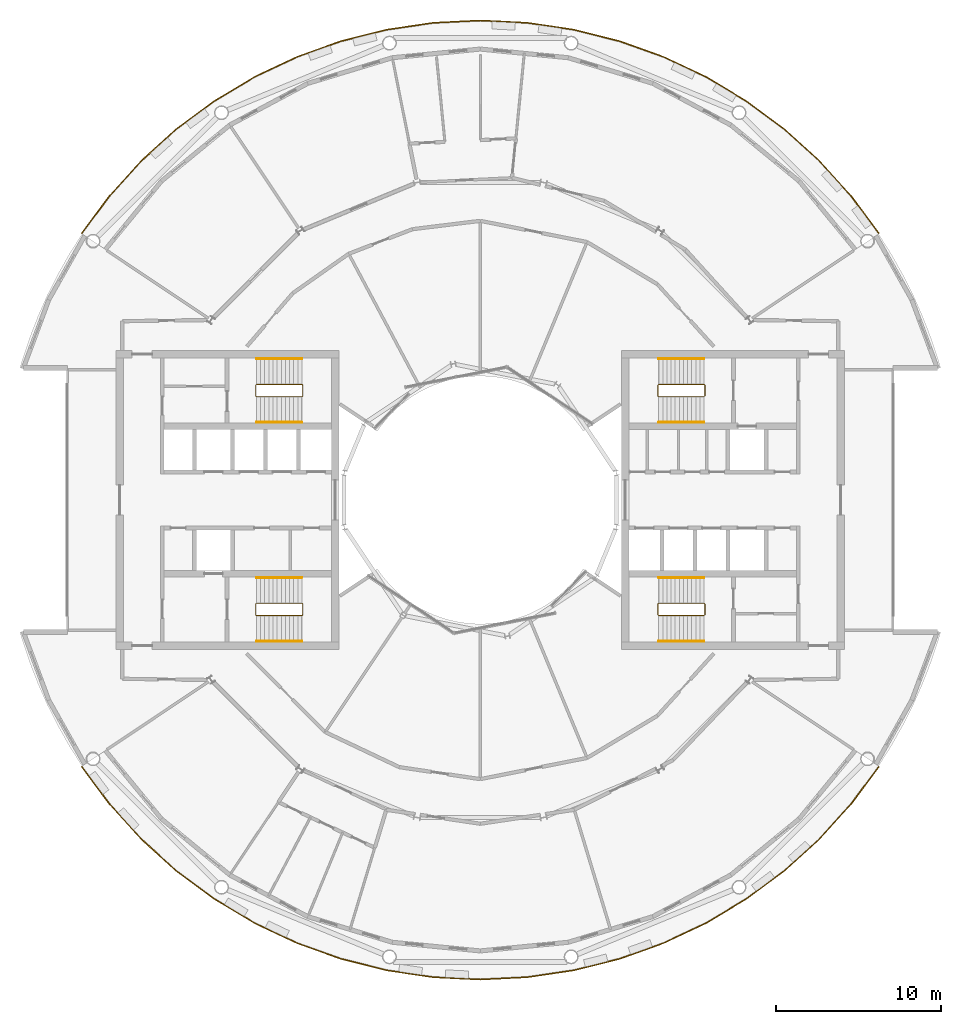
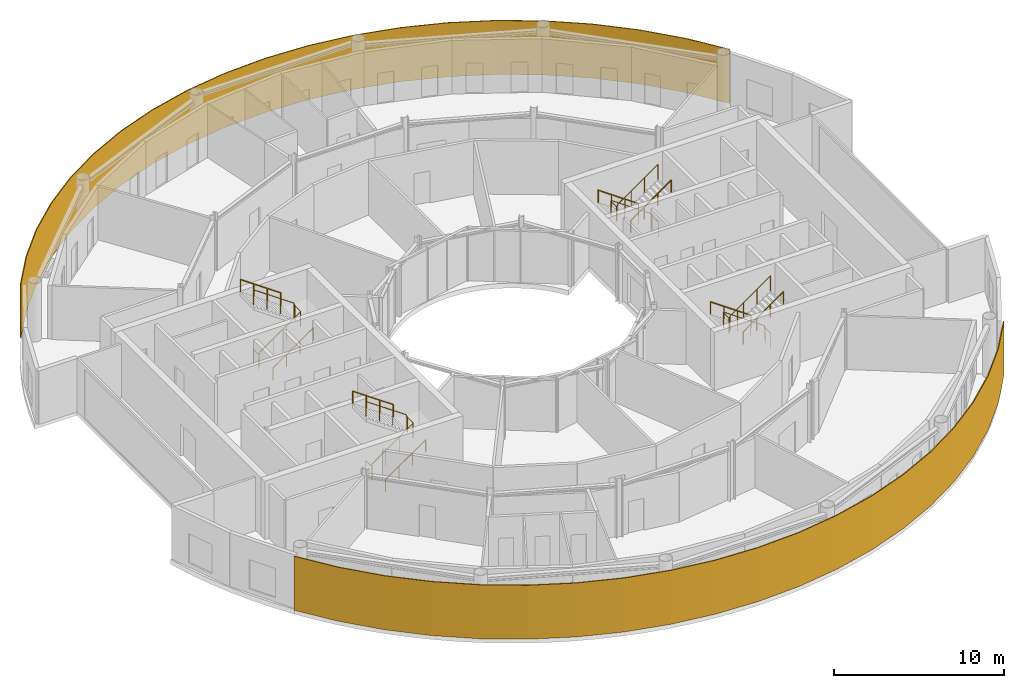
# One storey, part 22 of 22: 14 railings.
"""IFC4 building model written with IfcOpenShell, lengths in metres."""

from ifc_helpers import new_model, si_unit, direction, frame, origin, origin_2d, place, context, subcontext, project, spatial, polyline, circle, outline, extrude, material, layer, layer_set, type_object, element, save


model = new_model("IFC4")

# Units and contexts
model_context = context("Model", 3, precision=1e-05, world=origin(), true_north=direction((0.0, 1.0)))
body_context = subcontext(model_context, "Body", "Model", "MODEL_VIEW")
ifc_project = project(units=[si_unit("LENGTHUNIT", "METRE"), si_unit("AREAUNIT", "SQUARE_METRE"), si_unit("VOLUMEUNIT", "CUBIC_METRE"), si_unit("PLANEANGLEUNIT", "RADIAN"), si_unit("MASSUNIT", "GRAM", prefix="KILO")], contexts=[model_context])

# Site, building, storey
site_placement = place(None, origin())
site = spatial("IfcSite", under=ifc_project, at=site_placement, CompositionType="ELEMENT")
building_placement = place(site_placement, origin())
building = spatial("IfcBuilding", under=site, at=building_placement, Name="Maasbend Ring Residences", CompositionType="ELEMENT")
storey_placement = place(building_placement, frame((0.0, 0.0, 208.5)))
storey = spatial("IfcBuildingStorey", under=building, at=storey_placement, Name="L60", CompositionType="ELEMENT", Elevation=208.5)

# Railings
ifc_material_1 = material(Name="Pale anodised perforated aluminium", Category="aluminium")
ifc_layer = layer(ifc_material_1, 0.06005859375)
ifc_layer_set = layer_set([ifc_layer], Name="SCREEN-P")
railing_type_1 = type_object("IfcRailingType", Name="SCREEN-P", PredefinedType="GUARDRAIL", material=ifc_layer_set)
railing_1_placement = place(storey_placement, frame((0.0, 0.0, -0.030029296875)))
element("IfcRailing", 1, at=railing_1_placement, inside=storey, type_object=railing_type_1, Name="Perforated screen guard 1", PredefinedType="GUARDRAIL", context=body_context, shape_type="SweptSolid", body=[
    extrude(outline(polyline([(24.113037109375, 16.112060546875), (22.4169921875, 18.39697265625), (20.506103515625, 20.506103515625), (18.39697265625, 22.4169921875), (16.112060546875, 24.113037109375), (13.6708984375, 25.575927734375), (11.097900390625, 26.79296875), (8.41796875, 27.7509765625), (5.657958984375, 28.443115234375), (2.842041015625, 28.860107421875), (0.0, 29.0), (-2.842041015625, 28.860107421875), (-5.657958984375, 28.443115234375), (-8.41796875, 27.7509765625), (-11.097900390625, 26.79296875), (-13.6708984375, 25.575927734375), (-16.112060546875, 24.113037109375), (-18.39697265625, 22.4169921875), (-20.506103515625, 20.506103515625), (-22.4169921875, 18.39697265625), (-24.113037109375, 16.112060546875), (-24.1630859375, 16.14501953125), (-22.464111328125, 18.43505859375), (-20.549072265625, 20.549072265625), (-18.43505859375, 22.464111328125), (-16.14501953125, 24.1630859375), (-13.698974609375, 25.62890625), (-11.12109375, 26.847900390625), (-8.43603515625, 27.80908203125), (-5.6689453125, 28.501953125), (-2.847900390625, 28.919921875), (0.0, 29.06005859375), (2.847900390625, 28.919921875), (5.6689453125, 28.501953125), (8.43603515625, 27.80908203125), (11.12109375, 26.847900390625), (13.698974609375, 25.62890625), (16.14501953125, 24.1630859375), (18.43505859375, 22.464111328125), (20.549072265625, 20.549072265625), (22.464111328125, 18.43505859375), (24.1630859375, 16.14501953125), (24.113037109375, 16.112060546875)])), origin(), (0.0, 0.0, 1.0), 3.880126953125),
])
railing_2_placement = place(storey_placement, frame((0.0, 0.0, -0.030029296875)))
element("IfcRailing", 2, at=railing_2_placement, inside=storey, type_object=railing_type_1, Name="Perforated screen guard 1", PredefinedType="GUARDRAIL", context=body_context, shape_type="SweptSolid", body=[
    extrude(outline(polyline([(-24.113037109375, -16.112060546875), (-22.4169921875, -18.39697265625), (-20.506103515625, -20.506103515625), (-18.39697265625, -22.4169921875), (-16.112060546875, -24.113037109375), (-13.6708984375, -25.575927734375), (-11.097900390625, -26.79296875), (-8.41796875, -27.7509765625), (-5.657958984375, -28.443115234375), (-2.842041015625, -28.860107421875), (0.0, -29.0), (2.842041015625, -28.860107421875), (5.657958984375, -28.443115234375), (8.41796875, -27.7509765625), (11.097900390625, -26.79296875), (13.6708984375, -25.575927734375), (16.112060546875, -24.113037109375), (18.39697265625, -22.4169921875), (20.506103515625, -20.506103515625), (22.4169921875, -18.39697265625), (24.113037109375, -16.112060546875), (24.1630859375, -16.14501953125), (22.464111328125, -18.43505859375), (20.549072265625, -20.549072265625), (18.43505859375, -22.464111328125), (16.14501953125, -24.1630859375), (13.698974609375, -25.62890625), (11.12109375, -26.847900390625), (8.43603515625, -27.80908203125), (5.6689453125, -28.501953125), (2.847900390625, -28.919921875), (0.0, -29.06005859375), (-2.847900390625, -28.919921875), (-5.6689453125, -28.501953125), (-8.43603515625, -27.80908203125), (-11.12109375, -26.847900390625), (-13.698974609375, -25.62890625), (-16.14501953125, -24.1630859375), (-18.43505859375, -22.464111328125), (-20.549072265625, -20.549072265625), (-22.464111328125, -18.43505859375), (-24.1630859375, -16.14501953125), (-24.113037109375, -16.112060546875)])), origin(), (0.0, 0.0, 1.0), 3.880126953125),
])
ifc_material_2 = material(Name="Stainless steel 316", Category="steel")
railing_type_2 = type_object("IfcRailingType", Name="STAIR GUARD 1100", PredefinedType="GUARDRAIL", material=ifc_material_2)
railing_3_placement = place(storey_placement, frame((13.60009765625, 6.300048828125, 0.0)))
element("IfcRailing", 3, at=railing_3_placement, inside=storey, type_object=railing_type_2, Name="L60 ST-E1 stair guard 1", PredefinedType="GUARDRAIL", context=body_context, shape_type="SweptSolid", body=[
    extrude(circle(Radius=0.02392578125, at=origin_2d()), frame((0.0, 0.0, 1.076171875), z_axis=(0.0, 1.0, 0.0), x_axis=(-1.0, 0.0, 0.0)), (0.0, 0.0, 1.0), 0.64990234375),
    extrude(circle(Radius=0.02392578125, at=origin_2d()), frame((0.0, 0.64990234375, 1.076171875), z_axis=(-0.265065253269, 0.265065253269, 0.927081885822), x_axis=(-0.707106781187, -0.707106781187, 0.0)), (0.0, 0.0, 1.0), 0.188720703125),
    extrude(circle(Radius=0.02392578125, at=origin_2d()), frame((-0.050048828125, 0.699951171875, 1.2509765625), z_axis=(-0.819225086817, 0.0, 0.573472106672), x_axis=(0.0, -1.0, 0.0)), (0.0, 0.0, 1.0), 3.35693359375),
    extrude(circle(Radius=0.02392578125, at=origin_2d()), frame((-2.800048828125, 0.699951171875, 3.17626953125), z_axis=(-0.707106781187, -0.707106781187, 0.0), x_axis=(0.707106781187, -0.707106781187, 0.0)), (0.0, 0.0, 1.0), 0.07080078125),
    extrude(circle(Radius=0.02392578125, at=origin_2d()), frame((-2.85009765625, 0.64990234375, 3.17626953125), z_axis=(0.0, -1.0, 0.0), x_axis=(1.0, 0.0, 0.0)), (0.0, 0.0, 1.0), 0.64990234375),
    extrude(circle(Radius=0.02392578125, at=origin_2d()), frame((-2.85009765625, 0.0, 3.17626953125), z_axis=(0.265383341853, -0.265383341853, 0.926899867156), x_axis=(0.707106781187, 0.707106781187, 0.0)), (0.0, 0.0, 1.0), 0.1884765625),
    extrude(circle(Radius=0.02392578125, at=origin_2d()), frame((-2.800048828125, -0.050048828125, 3.35107421875), z_axis=(0.819225086817, 0.0, 0.573472106672), x_axis=(0.0, 1.0, 0.0)), (0.0, 0.0, 1.0), 3.35693359375),
    extrude(circle(Radius=0.02099609375, at=origin_2d()), origin(), (0.0, 0.0, 1.0), 1.052001953125),
    extrude(circle(Radius=0.02099609375, at=origin_2d()), frame((0.0, 0.64990234375, 0.0)), (0.0, 0.0, 1.0), 1.052001953125),
    extrude(circle(Radius=0.02099609375, at=origin_2d()), frame((-0.050048828125, 0.699951171875, 0.175048828125)), (0.0, 0.0, 1.0), 1.052001953125),
    extrude(circle(Radius=0.02099609375, at=origin_2d()), frame((-0.966796875, 0.699951171875, 0.816650390625)), (0.0, 0.0, 1.0), 1.052001953125),
    extrude(circle(Radius=0.02099609375, at=origin_2d()), frame((-1.88330078125, 0.699951171875, 1.45849609375)), (0.0, 0.0, 1.0), 1.052001953125),
    extrude(circle(Radius=0.02099609375, at=origin_2d()), frame((-2.800048828125, 0.699951171875, 2.10009765625)), (0.0, 0.0, 1.0), 1.052001953125),
    extrude(circle(Radius=0.02099609375, at=origin_2d()), frame((-2.85009765625, 0.64990234375, 2.10009765625)), (0.0, 0.0, 1.0), 1.052001953125),
    extrude(circle(Radius=0.02099609375, at=origin_2d()), frame((-2.85009765625, 0.0, 2.10009765625)), (0.0, 0.0, 1.0), 1.052001953125),
    extrude(circle(Radius=0.02099609375, at=origin_2d()), frame((-2.800048828125, -0.050048828125, 2.27490234375)), (0.0, 0.0, 1.0), 1.052001953125),
    extrude(circle(Radius=0.02099609375, at=origin_2d()), frame((-1.88330078125, -0.050048828125, 2.91650390625)), (0.0, 0.0, 1.0), 1.052001953125),
    extrude(circle(Radius=0.02099609375, at=origin_2d()), frame((-0.966796875, -0.050048828125, 3.558349609375)), (0.0, 0.0, 1.0), 1.052001953125),
    extrude(circle(Radius=0.02099609375, at=origin_2d()), frame((-0.050048828125, -0.050048828125, 4.199951171875)), (0.0, 0.0, 1.0), 1.052001953125),
])
railing_4_placement = place(storey_placement, frame((13.60009765625, -6.949951171875, 0.0)))
element("IfcRailing", 4, at=railing_4_placement, inside=storey, type_object=railing_type_2, Name="L60 ST-E2 stair guard 1", PredefinedType="GUARDRAIL", context=body_context, shape_type="SweptSolid", body=[
    extrude(circle(Radius=0.02392578125, at=origin_2d()), frame((0.0, 0.0, 1.076171875), z_axis=(0.0, 1.0, 0.0), x_axis=(-1.0, 0.0, 0.0)), (0.0, 0.0, 1.0), 0.64990234375),
    extrude(circle(Radius=0.02392578125, at=origin_2d()), frame((0.0, 0.64990234375, 1.076171875), z_axis=(-0.265065253269, 0.265065253269, 0.927081885822), x_axis=(-0.707106781187, -0.707106781187, 0.0)), (0.0, 0.0, 1.0), 0.188720703125),
    extrude(circle(Radius=0.02392578125, at=origin_2d()), frame((-0.050048828125, 0.699951171875, 1.2509765625), z_axis=(-0.819225086817, 0.0, 0.573472106672), x_axis=(0.0, -1.0, 0.0)), (0.0, 0.0, 1.0), 3.35693359375),
    extrude(circle(Radius=0.02392578125, at=origin_2d()), frame((-2.800048828125, 0.699951171875, 3.17626953125), z_axis=(-0.707106781187, -0.707106781187, 0.0), x_axis=(0.707106781187, -0.707106781187, 0.0)), (0.0, 0.0, 1.0), 0.07080078125),
    extrude(circle(Radius=0.02392578125, at=origin_2d()), frame((-2.85009765625, 0.64990234375, 3.17626953125), z_axis=(0.0, -1.0, 0.0), x_axis=(1.0, 0.0, 0.0)), (0.0, 0.0, 1.0), 0.64990234375),
    extrude(circle(Radius=0.02392578125, at=origin_2d()), frame((-2.85009765625, 0.0, 3.17626953125), z_axis=(0.265383341853, -0.265383341853, 0.926899867156), x_axis=(0.707106781187, 0.707106781187, 0.0)), (0.0, 0.0, 1.0), 0.1884765625),
    extrude(circle(Radius=0.02392578125, at=origin_2d()), frame((-2.800048828125, -0.050048828125, 3.35107421875), z_axis=(0.819225086817, 0.0, 0.573472106672), x_axis=(0.0, 1.0, 0.0)), (0.0, 0.0, 1.0), 3.35693359375),
    extrude(circle(Radius=0.02099609375, at=origin_2d()), origin(), (0.0, 0.0, 1.0), 1.052001953125),
    extrude(circle(Radius=0.02099609375, at=origin_2d()), frame((0.0, 0.64990234375, 0.0)), (0.0, 0.0, 1.0), 1.052001953125),
    extrude(circle(Radius=0.02099609375, at=origin_2d()), frame((-0.050048828125, 0.699951171875, 0.175048828125)), (0.0, 0.0, 1.0), 1.052001953125),
    extrude(circle(Radius=0.02099609375, at=origin_2d()), frame((-0.966796875, 0.699951171875, 0.816650390625)), (0.0, 0.0, 1.0), 1.052001953125),
    extrude(circle(Radius=0.02099609375, at=origin_2d()), frame((-1.88330078125, 0.699951171875, 1.45849609375)), (0.0, 0.0, 1.0), 1.052001953125),
    extrude(circle(Radius=0.02099609375, at=origin_2d()), frame((-2.800048828125, 0.699951171875, 2.10009765625)), (0.0, 0.0, 1.0), 1.052001953125),
    extrude(circle(Radius=0.02099609375, at=origin_2d()), frame((-2.85009765625, 0.64990234375, 2.10009765625)), (0.0, 0.0, 1.0), 1.052001953125),
    extrude(circle(Radius=0.02099609375, at=origin_2d()), frame((-2.85009765625, 0.0, 2.10009765625)), (0.0, 0.0, 1.0), 1.052001953125),
    extrude(circle(Radius=0.02099609375, at=origin_2d()), frame((-2.800048828125, -0.050048828125, 2.27490234375)), (0.0, 0.0, 1.0), 1.052001953125),
    extrude(circle(Radius=0.02099609375, at=origin_2d()), frame((-1.88330078125, -0.050048828125, 2.91650390625)), (0.0, 0.0, 1.0), 1.052001953125),
    extrude(circle(Radius=0.02099609375, at=origin_2d()), frame((-0.966796875, -0.050048828125, 3.558349609375)), (0.0, 0.0, 1.0), 1.052001953125),
    extrude(circle(Radius=0.02099609375, at=origin_2d()), frame((-0.050048828125, -0.050048828125, 4.199951171875)), (0.0, 0.0, 1.0), 1.052001953125),
])
railing_5_placement = place(storey_placement, frame((-13.60009765625, -6.300048828125, 0.0)))
element("IfcRailing", 5, at=railing_5_placement, inside=storey, type_object=railing_type_2, Name="L60 ST-W1 stair guard 1", PredefinedType="GUARDRAIL", context=body_context, shape_type="SweptSolid", body=[
    extrude(circle(Radius=0.02392578125, at=origin_2d()), frame((0.0, 0.0, 1.076171875), z_axis=(0.0, -1.0, 0.0), x_axis=(1.0, 0.0, 0.0)), (0.0, 0.0, 1.0), 0.64990234375),
    extrude(circle(Radius=0.02392578125, at=origin_2d()), frame((0.0, -0.64990234375, 1.076171875), z_axis=(0.265065253269, -0.265065253269, 0.927081885822), x_axis=(0.707106781187, 0.707106781187, 0.0)), (0.0, 0.0, 1.0), 0.188720703125),
    extrude(circle(Radius=0.02392578125, at=origin_2d()), frame((0.050048828125, -0.699951171875, 1.2509765625), z_axis=(0.819225086817, 0.0, 0.573472106672), x_axis=(0.0, 1.0, 0.0)), (0.0, 0.0, 1.0), 3.35693359375),
    extrude(circle(Radius=0.02392578125, at=origin_2d()), frame((2.800048828125, -0.699951171875, 3.17626953125), z_axis=(0.707106781187, 0.707106781187, 0.0), x_axis=(-0.707106781187, 0.707106781187, 0.0)), (0.0, 0.0, 1.0), 0.07080078125),
    extrude(circle(Radius=0.02392578125, at=origin_2d()), frame((2.85009765625, -0.64990234375, 3.17626953125), z_axis=(0.0, 1.0, 0.0), x_axis=(-1.0, 0.0, 0.0)), (0.0, 0.0, 1.0), 0.64990234375),
    extrude(circle(Radius=0.02392578125, at=origin_2d()), frame((2.85009765625, 0.0, 3.17626953125), z_axis=(-0.265383341853, 0.265383341853, 0.926899867156), x_axis=(-0.707106781187, -0.707106781187, 0.0)), (0.0, 0.0, 1.0), 0.1884765625),
    extrude(circle(Radius=0.02392578125, at=origin_2d()), frame((2.800048828125, 0.050048828125, 3.35107421875), z_axis=(-0.819225086817, 0.0, 0.573472106672), x_axis=(0.0, -1.0, 0.0)), (0.0, 0.0, 1.0), 3.35693359375),
    extrude(circle(Radius=0.02099609375, at=origin_2d()), origin(), (0.0, 0.0, 1.0), 1.052001953125),
    extrude(circle(Radius=0.02099609375, at=origin_2d()), frame((0.0, -0.64990234375, 0.0)), (0.0, 0.0, 1.0), 1.052001953125),
    extrude(circle(Radius=0.02099609375, at=origin_2d()), frame((0.050048828125, -0.699951171875, 0.175048828125)), (0.0, 0.0, 1.0), 1.052001953125),
    extrude(circle(Radius=0.02099609375, at=origin_2d()), frame((0.966796875, -0.699951171875, 0.816650390625)), (0.0, 0.0, 1.0), 1.052001953125),
    extrude(circle(Radius=0.02099609375, at=origin_2d()), frame((1.88330078125, -0.699951171875, 1.45849609375)), (0.0, 0.0, 1.0), 1.052001953125),
    extrude(circle(Radius=0.02099609375, at=origin_2d()), frame((2.800048828125, -0.699951171875, 2.10009765625)), (0.0, 0.0, 1.0), 1.052001953125),
    extrude(circle(Radius=0.02099609375, at=origin_2d()), frame((2.85009765625, -0.64990234375, 2.10009765625)), (0.0, 0.0, 1.0), 1.052001953125),
    extrude(circle(Radius=0.02099609375, at=origin_2d()), frame((2.85009765625, 0.0, 2.10009765625)), (0.0, 0.0, 1.0), 1.052001953125),
    extrude(circle(Radius=0.02099609375, at=origin_2d()), frame((2.800048828125, 0.050048828125, 2.27490234375)), (0.0, 0.0, 1.0), 1.052001953125),
    extrude(circle(Radius=0.02099609375, at=origin_2d()), frame((1.88330078125, 0.050048828125, 2.91650390625)), (0.0, 0.0, 1.0), 1.052001953125),
    extrude(circle(Radius=0.02099609375, at=origin_2d()), frame((0.966796875, 0.050048828125, 3.558349609375)), (0.0, 0.0, 1.0), 1.052001953125),
    extrude(circle(Radius=0.02099609375, at=origin_2d()), frame((0.050048828125, 0.050048828125, 4.199951171875)), (0.0, 0.0, 1.0), 1.052001953125),
])
railing_6_placement = place(storey_placement, frame((-13.60009765625, 6.949951171875, 0.0)))
element("IfcRailing", 6, at=railing_6_placement, inside=storey, type_object=railing_type_2, Name="L60 ST-W2 stair guard 1", PredefinedType="GUARDRAIL", context=body_context, shape_type="SweptSolid", body=[
    extrude(circle(Radius=0.02392578125, at=origin_2d()), frame((0.0, 0.0, 1.076171875), z_axis=(0.0, -1.0, 0.0), x_axis=(1.0, 0.0, 0.0)), (0.0, 0.0, 1.0), 0.64990234375),
    extrude(circle(Radius=0.02392578125, at=origin_2d()), frame((0.0, -0.64990234375, 1.076171875), z_axis=(0.265065253269, -0.265065253269, 0.927081885822), x_axis=(0.707106781187, 0.707106781187, 0.0)), (0.0, 0.0, 1.0), 0.188720703125),
    extrude(circle(Radius=0.02392578125, at=origin_2d()), frame((0.050048828125, -0.699951171875, 1.2509765625), z_axis=(0.819225086817, 0.0, 0.573472106672), x_axis=(0.0, 1.0, 0.0)), (0.0, 0.0, 1.0), 3.35693359375),
    extrude(circle(Radius=0.02392578125, at=origin_2d()), frame((2.800048828125, -0.699951171875, 3.17626953125), z_axis=(0.707106781187, 0.707106781187, 0.0), x_axis=(-0.707106781187, 0.707106781187, 0.0)), (0.0, 0.0, 1.0), 0.07080078125),
    extrude(circle(Radius=0.02392578125, at=origin_2d()), frame((2.85009765625, -0.64990234375, 3.17626953125), z_axis=(0.0, 1.0, 0.0), x_axis=(-1.0, 0.0, 0.0)), (0.0, 0.0, 1.0), 0.64990234375),
    extrude(circle(Radius=0.02392578125, at=origin_2d()), frame((2.85009765625, 0.0, 3.17626953125), z_axis=(-0.265383341853, 0.265383341853, 0.926899867156), x_axis=(-0.707106781187, -0.707106781187, 0.0)), (0.0, 0.0, 1.0), 0.1884765625),
    extrude(circle(Radius=0.02392578125, at=origin_2d()), frame((2.800048828125, 0.050048828125, 3.35107421875), z_axis=(-0.819225086817, 0.0, 0.573472106672), x_axis=(0.0, -1.0, 0.0)), (0.0, 0.0, 1.0), 3.35693359375),
    extrude(circle(Radius=0.02099609375, at=origin_2d()), origin(), (0.0, 0.0, 1.0), 1.052001953125),
    extrude(circle(Radius=0.02099609375, at=origin_2d()), frame((0.0, -0.64990234375, 0.0)), (0.0, 0.0, 1.0), 1.052001953125),
    extrude(circle(Radius=0.02099609375, at=origin_2d()), frame((0.050048828125, -0.699951171875, 0.175048828125)), (0.0, 0.0, 1.0), 1.052001953125),
    extrude(circle(Radius=0.02099609375, at=origin_2d()), frame((0.966796875, -0.699951171875, 0.816650390625)), (0.0, 0.0, 1.0), 1.052001953125),
    extrude(circle(Radius=0.02099609375, at=origin_2d()), frame((1.88330078125, -0.699951171875, 1.45849609375)), (0.0, 0.0, 1.0), 1.052001953125),
    extrude(circle(Radius=0.02099609375, at=origin_2d()), frame((2.800048828125, -0.699951171875, 2.10009765625)), (0.0, 0.0, 1.0), 1.052001953125),
    extrude(circle(Radius=0.02099609375, at=origin_2d()), frame((2.85009765625, -0.64990234375, 2.10009765625)), (0.0, 0.0, 1.0), 1.052001953125),
    extrude(circle(Radius=0.02099609375, at=origin_2d()), frame((2.85009765625, 0.0, 2.10009765625)), (0.0, 0.0, 1.0), 1.052001953125),
    extrude(circle(Radius=0.02099609375, at=origin_2d()), frame((2.800048828125, 0.050048828125, 2.27490234375)), (0.0, 0.0, 1.0), 1.052001953125),
    extrude(circle(Radius=0.02099609375, at=origin_2d()), frame((1.88330078125, 0.050048828125, 2.91650390625)), (0.0, 0.0, 1.0), 1.052001953125),
    extrude(circle(Radius=0.02099609375, at=origin_2d()), frame((0.966796875, 0.050048828125, 3.558349609375)), (0.0, 0.0, 1.0), 1.052001953125),
    extrude(circle(Radius=0.02099609375, at=origin_2d()), frame((0.050048828125, 0.050048828125, 4.199951171875)), (0.0, 0.0, 1.0), 1.052001953125),
])
ifc_material_3 = material(Name="Stainless steel 316", Category="steel")
railing_type_3 = type_object("IfcRailingType", Name="STAIR HANDRAIL 900", PredefinedType="HANDRAIL", material=ifc_material_3)
railing_7_placement = place(storey_placement, frame((13.550048828125, 8.550048828125, 0.175048828125)))
element("IfcRailing", 7, at=railing_7_placement, inside=storey, type_object=railing_type_3, Name="L60 ST-E1 stair handrail 1", PredefinedType="HANDRAIL", context=body_context, shape_type="SweptSolid", body=[
    extrude(circle(Radius=0.02392578125, at=origin_2d()), frame((0.0, 0.0, 0.8759765625), z_axis=(-0.819225086817, 0.0, 0.573472106672), x_axis=(0.0, -1.0, 0.0)), (0.0, 0.0, 1.0), 3.35693359375),
    extrude(circle(Radius=0.02099609375, at=origin_2d()), origin(), (0.0, 0.0, 1.0), 0.851806640625),
    extrude(circle(Radius=0.02099609375, at=origin_2d()), frame((-0.916748046875, 0.0, 0.6416015625)), (0.0, 0.0, 1.0), 0.851806640625),
    extrude(circle(Radius=0.02099609375, at=origin_2d()), frame((-1.833251953125, 0.0, 1.283447265625)), (0.0, 0.0, 1.0), 0.851806640625),
    extrude(circle(Radius=0.02099609375, at=origin_2d()), frame((-2.75, 0.0, 1.925048828125)), (0.0, 0.0, 1.0), 0.851806640625),
])
railing_8_placement = place(storey_placement, frame((10.800048828125, 4.699951171875, 2.27490234375)))
element("IfcRailing", 8, at=railing_8_placement, inside=storey, type_object=railing_type_3, Name="L60 ST-E1 stair handrail 2", PredefinedType="HANDRAIL", context=body_context, shape_type="SweptSolid", body=[
    extrude(circle(Radius=0.02392578125, at=origin_2d()), frame((0.0, 0.0, 0.8759765625), z_axis=(0.819225086817, 0.0, 0.573472106672), x_axis=(0.0, 1.0, 0.0)), (0.0, 0.0, 1.0), 3.35693359375),
    extrude(circle(Radius=0.02099609375, at=origin_2d()), origin(), (0.0, 0.0, 1.0), 0.851806640625),
    extrude(circle(Radius=0.02099609375, at=origin_2d()), frame((0.916748046875, 0.0, 0.6416015625)), (0.0, 0.0, 1.0), 0.851806640625),
    extrude(circle(Radius=0.02099609375, at=origin_2d()), frame((1.833251953125, 0.0, 1.283447265625)), (0.0, 0.0, 1.0), 0.851806640625),
    extrude(circle(Radius=0.02099609375, at=origin_2d()), frame((2.75, 0.0, 1.925048828125)), (0.0, 0.0, 1.0), 0.851806640625),
])
railing_9_placement = place(storey_placement, frame((13.550048828125, -4.699951171875, 0.175048828125)))
element("IfcRailing", 9, at=railing_9_placement, inside=storey, type_object=railing_type_3, Name="L60 ST-E2 stair handrail 1", PredefinedType="HANDRAIL", context=body_context, shape_type="SweptSolid", body=[
    extrude(circle(Radius=0.02392578125, at=origin_2d()), frame((0.0, 0.0, 0.8759765625), z_axis=(-0.819225086817, 0.0, 0.573472106672), x_axis=(0.0, -1.0, 0.0)), (0.0, 0.0, 1.0), 3.35693359375),
    extrude(circle(Radius=0.02099609375, at=origin_2d()), origin(), (0.0, 0.0, 1.0), 0.851806640625),
    extrude(circle(Radius=0.02099609375, at=origin_2d()), frame((-0.916748046875, 0.0, 0.6416015625)), (0.0, 0.0, 1.0), 0.851806640625),
    extrude(circle(Radius=0.02099609375, at=origin_2d()), frame((-1.833251953125, 0.0, 1.283447265625)), (0.0, 0.0, 1.0), 0.851806640625),
    extrude(circle(Radius=0.02099609375, at=origin_2d()), frame((-2.75, 0.0, 1.925048828125)), (0.0, 0.0, 1.0), 0.851806640625),
])
for number, where, name in (
    (10, (10.800048828125, -8.550048828125, 2.27490234375), "L60 ST-E2 stair handrail 2"),
    (11, (-13.550048828125, -8.550048828125, 0.175048828125), "L60 ST-W1 stair handrail 1"),
):
    element("IfcRailing", number, at=place(storey_placement, frame(where)), inside=storey, type_object=railing_type_3, Name=name, PredefinedType="HANDRAIL", context=body_context, shape_type="SweptSolid", body=[
        extrude(circle(Radius=0.02392578125, at=origin_2d()), frame((0.0, 0.0, 0.8759765625), z_axis=(0.819225086817, 0.0, 0.573472106672), x_axis=(0.0, 1.0, 0.0)), (0.0, 0.0, 1.0), 3.35693359375),
        extrude(circle(Radius=0.02099609375, at=origin_2d()), origin(), (0.0, 0.0, 1.0), 0.851806640625),
        extrude(circle(Radius=0.02099609375, at=origin_2d()), frame((0.916748046875, 0.0, 0.6416015625)), (0.0, 0.0, 1.0), 0.851806640625),
        extrude(circle(Radius=0.02099609375, at=origin_2d()), frame((1.833251953125, 0.0, 1.283447265625)), (0.0, 0.0, 1.0), 0.851806640625),
        extrude(circle(Radius=0.02099609375, at=origin_2d()), frame((2.75, 0.0, 1.925048828125)), (0.0, 0.0, 1.0), 0.851806640625),
    ])
railing_10_placement = place(storey_placement, frame((-10.800048828125, -4.699951171875, 2.27490234375)))
element("IfcRailing", 12, at=railing_10_placement, inside=storey, type_object=railing_type_3, Name="L60 ST-W1 stair handrail 2", PredefinedType="HANDRAIL", context=body_context, shape_type="SweptSolid", body=[
    extrude(circle(Radius=0.02392578125, at=origin_2d()), frame((0.0, 0.0, 0.8759765625), z_axis=(-0.819225086817, 0.0, 0.573472106672), x_axis=(0.0, -1.0, 0.0)), (0.0, 0.0, 1.0), 3.35693359375),
    extrude(circle(Radius=0.02099609375, at=origin_2d()), origin(), (0.0, 0.0, 1.0), 0.851806640625),
    extrude(circle(Radius=0.02099609375, at=origin_2d()), frame((-0.916748046875, 0.0, 0.6416015625)), (0.0, 0.0, 1.0), 0.851806640625),
    extrude(circle(Radius=0.02099609375, at=origin_2d()), frame((-1.833251953125, 0.0, 1.283447265625)), (0.0, 0.0, 1.0), 0.851806640625),
    extrude(circle(Radius=0.02099609375, at=origin_2d()), frame((-2.75, 0.0, 1.925048828125)), (0.0, 0.0, 1.0), 0.851806640625),
])
railing_11_placement = place(storey_placement, frame((-13.550048828125, 4.699951171875, 0.175048828125)))
element("IfcRailing", 13, at=railing_11_placement, inside=storey, type_object=railing_type_3, Name="L60 ST-W2 stair handrail 1", PredefinedType="HANDRAIL", context=body_context, shape_type="SweptSolid", body=[
    extrude(circle(Radius=0.02392578125, at=origin_2d()), frame((0.0, 0.0, 0.8759765625), z_axis=(0.819225086817, 0.0, 0.573472106672), x_axis=(0.0, 1.0, 0.0)), (0.0, 0.0, 1.0), 3.35693359375),
    extrude(circle(Radius=0.02099609375, at=origin_2d()), origin(), (0.0, 0.0, 1.0), 0.851806640625),
    extrude(circle(Radius=0.02099609375, at=origin_2d()), frame((0.916748046875, 0.0, 0.6416015625)), (0.0, 0.0, 1.0), 0.851806640625),
    extrude(circle(Radius=0.02099609375, at=origin_2d()), frame((1.833251953125, 0.0, 1.283447265625)), (0.0, 0.0, 1.0), 0.851806640625),
    extrude(circle(Radius=0.02099609375, at=origin_2d()), frame((2.75, 0.0, 1.925048828125)), (0.0, 0.0, 1.0), 0.851806640625),
])
railing_12_placement = place(storey_placement, frame((-10.800048828125, 8.550048828125, 2.27490234375)))
element("IfcRailing", 14, at=railing_12_placement, inside=storey, type_object=railing_type_3, Name="L60 ST-W2 stair handrail 2", PredefinedType="HANDRAIL", context=body_context, shape_type="SweptSolid", body=[
    extrude(circle(Radius=0.02392578125, at=origin_2d()), frame((0.0, 0.0, 0.8759765625), z_axis=(-0.819225086817, 0.0, 0.573472106672), x_axis=(0.0, -1.0, 0.0)), (0.0, 0.0, 1.0), 3.35693359375),
    extrude(circle(Radius=0.02099609375, at=origin_2d()), origin(), (0.0, 0.0, 1.0), 0.851806640625),
    extrude(circle(Radius=0.02099609375, at=origin_2d()), frame((-0.916748046875, 0.0, 0.6416015625)), (0.0, 0.0, 1.0), 0.851806640625),
    extrude(circle(Radius=0.02099609375, at=origin_2d()), frame((-1.833251953125, 0.0, 1.283447265625)), (0.0, 0.0, 1.0), 0.851806640625),
    extrude(circle(Radius=0.02099609375, at=origin_2d()), frame((-2.75, 0.0, 1.925048828125)), (0.0, 0.0, 1.0), 0.851806640625),
])

save(model, "model.ifc")
